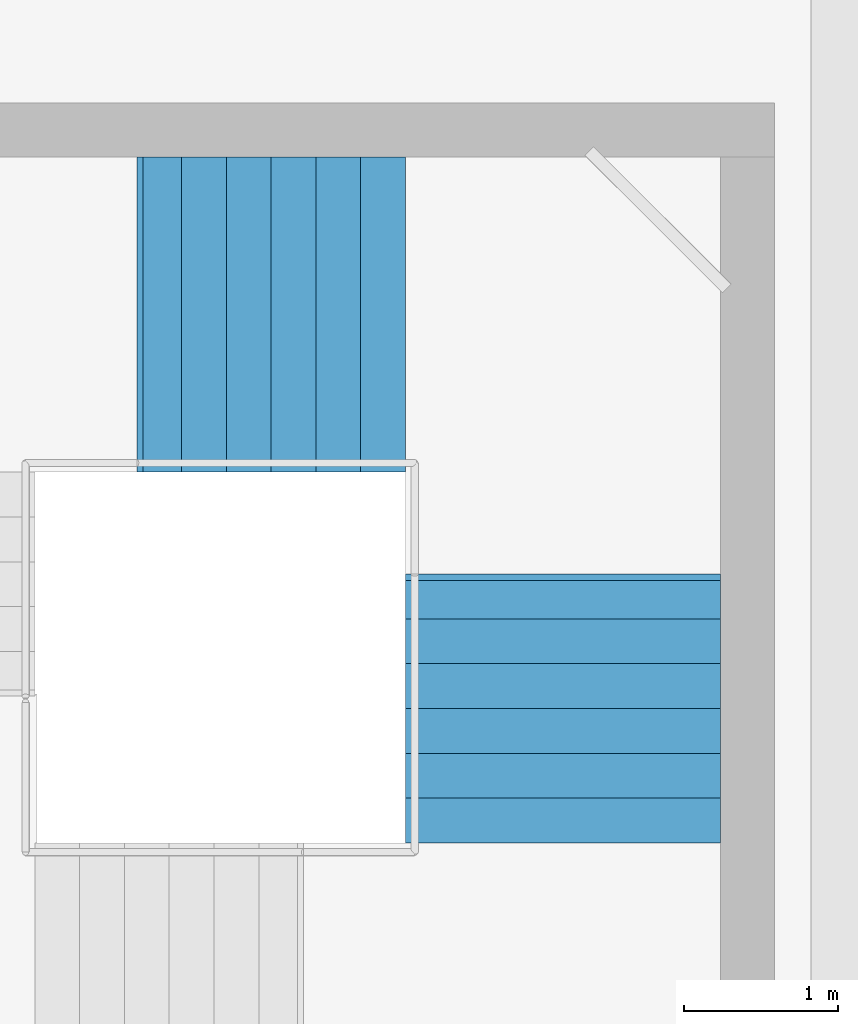
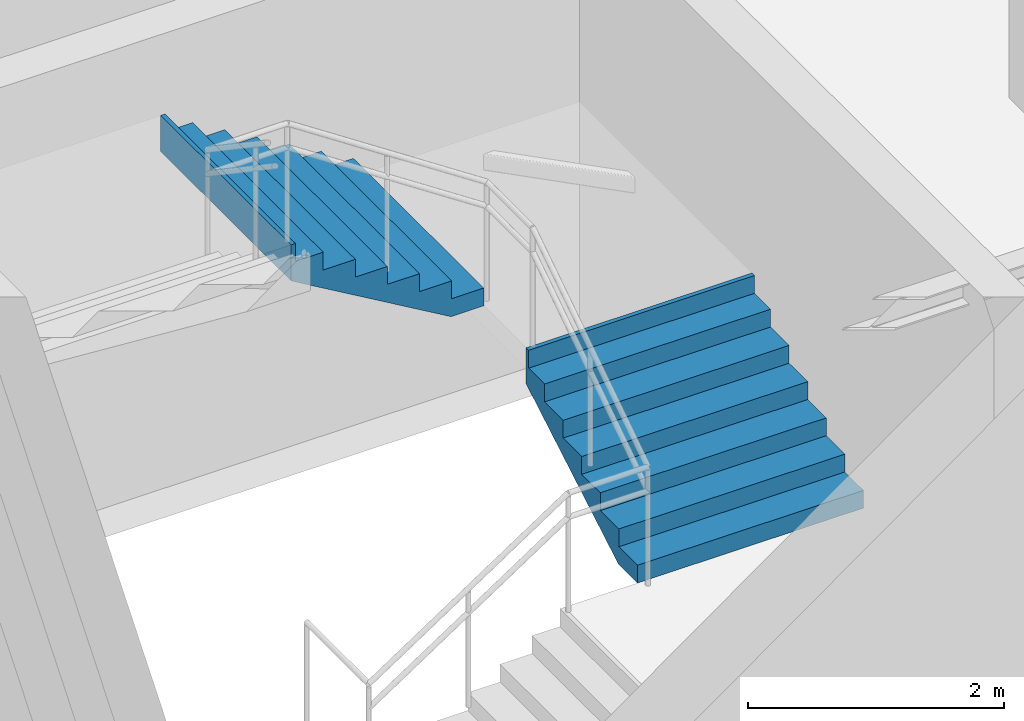
# One storey, part 59 of 69: 2 stair flights, 1 element without a shape of its own.
"""IFC4 building model written with IfcOpenShell, lengths in metres."""

from ifc_helpers import new_model, si_unit, direction, frame, origin, place, context, subcontext, project, spatial, triangles, material, type_object, element, aggregate, save


model = new_model("IFC4")

# Units and contexts
model_context = context("Model", 3, precision=1e-05, world=origin(), true_north=direction((0.0, 1.0)))
body_context = subcontext(model_context, "Body", "Model", "MODEL_VIEW")
ifc_project = project(units=[si_unit("LENGTHUNIT", "METRE"), si_unit("AREAUNIT", "SQUARE_METRE"), si_unit("VOLUMEUNIT", "CUBIC_METRE"), si_unit("PLANEANGLEUNIT", "RADIAN"), si_unit("MASSUNIT", "GRAM", prefix="KILO")], contexts=[model_context])

# Site, building, storey
site_placement = place(None, origin())
site = spatial("IfcSite", under=ifc_project, at=site_placement, CompositionType="ELEMENT")
building_placement = place(site_placement, origin())
building = spatial("IfcBuilding", under=site, at=building_placement, Name="Sillaruma Civic Art Gallery", CompositionType="ELEMENT")
storey_placement = place(building_placement, frame((0.0, 0.0, 42.330078125)))
storey = spatial("IfcBuildingStorey", under=building, at=storey_placement, Name="L08", CompositionType="ELEMENT", Elevation=42.330078125)

# Stair, stair flights
ifc_material = material(Name="Concrete H35 (35 MPa)", Category="concrete")
stair_type = type_object("IfcStairType", Name="STR-4F-27", PredefinedType="USERDEFINED", material=ifc_material)
stair_placement = place(storey_placement, origin())
stair = element("IfcStair", 1, at=stair_placement, inside=storey, type_object=stair_type, Name="Protected Exit Stair ST-03 (West Bar South) (L08)", ObjectType="THREE_RETURN_STAIR", PredefinedType="USERDEFINED")
stair_flight_type = type_object("IfcStairFlightType", Name="SFL-STR-7", PredefinedType="STRAIGHT", material=ifc_material)
stair_flight_1_placement = place(storey_placement, frame((68.219970703125, 33.449951171875, 1.18994140625), z_axis=(0.0, 0.0, 1.0), x_axis=(0.0, 1.0, 0.0)))
stair_flight_1 = element("IfcStairFlight", 2, at=stair_flight_1_placement, type_object=stair_flight_type, Name="ST-03 flight 2", NumberOfRisers=7, NumberOfTreads=6, PredefinedType="STRAIGHT", RiserHeight=0.17, TreadLength=0.29, context=body_context, shape_type="Tessellation", body=[
    triangles([(0.0, -1.02001953125, 0.0), (0.29, -1.02001953125, 0.0), (0.296404, -1.02001953125, 0.0), (0.58, -1.02001953125, 0.166246), (0.87, -1.02001953125, 0.336246), (1.16, -1.02001953125, 0.506246), (1.45, -1.02001953125, 0.676246), (1.69999, -1.02001953125, 0.822792), (1.73999, -1.02001953125, 0.84624), (1.73999, -1.02001953125, 1.19), (1.69999, -1.02001953125, 1.19), (1.69999, -1.02001953125, 1.02), (1.45, -1.02001953125, 1.02), (1.45, -1.02001953125, 0.85), (1.16, -1.02001953125, 0.85), (1.16, -1.02001953125, 0.68), (0.87, -1.02001953125, 0.68), (0.87, -1.02001953125, 0.51), (0.58, -1.02001953125, 0.51), (0.58, -1.02001953125, 0.34), (0.296404, -1.02001953125, 0.34), (0.29, -1.02001953125, 0.34), (0.29, -1.02001953125, 0.17), (0.0, -1.02001953125, 0.17), (0.0, -0.05, 0.0), (0.29, -0.05, 0.0), (0.296404, -0.05, 0.0), (0.58, -0.05, 0.166246), (0.87, -0.05, 0.336246), (1.16, -0.05, 0.506246), (1.45, -0.05, 0.676246), (1.69999, -0.05, 0.822792), (1.73999, -0.05, 0.84624), (1.73999, -0.05, 1.19), (1.69999, -0.05, 1.19), (1.69999, -0.05, 1.02), (1.45, -0.05, 1.02), (1.45, -0.05, 0.85), (1.16, -0.05, 0.85), (1.16, -0.05, 0.68), (0.87, -0.05, 0.68), (0.87, -0.05, 0.51), (0.58, -0.05, 0.51), (0.58, -0.05, 0.34), (0.296404, -0.05, 0.34), (0.29, -0.05, 0.34), (0.29, -0.05, 0.17), (0.0, -0.05, 0.17), (0.0, -0.0375, 0.0), (0.29, -0.0375, 0.0), (0.296404, -0.0375, 0.0), (0.58, -0.0375, 0.166246), (0.87, -0.0375, 0.336246), (1.16, -0.0375, 0.506246), (1.45, -0.0375, 0.676246), (1.69999, -0.0375, 0.822792), (1.73999, -0.0375, 0.84624), (1.73999, -0.0375, 1.19), (1.69999, -0.0375, 1.19), (1.69999, -0.0375, 1.02), (1.45, -0.0375, 1.02), (1.45, -0.0375, 0.85), (1.16, -0.0375, 0.85), (1.16, -0.0375, 0.68), (0.87, -0.0375, 0.68), (0.87, -0.0375, 0.51), (0.58, -0.0375, 0.51), (0.58, -0.0375, 0.34), (0.296404, -0.0375, 0.34), (0.29, -0.0375, 0.34), (0.29, -0.0375, 0.17), (0.0, -0.0375, 0.17), (0.0, -0.025, 0.0), (0.29, -0.025, 0.0), (0.296404, -0.025, 0.0), (0.58, -0.025, 0.166246), (0.87, -0.025, 0.336246), (1.16, -0.025, 0.506246), (1.45, -0.025, 0.676246), (1.69999, -0.025, 0.822792), (1.73999, -0.025, 0.84624), (1.73999, -0.025, 1.19), (1.69999, -0.025, 1.19), (1.69999, -0.025, 1.02), (1.45, -0.025, 1.02), (1.45, -0.025, 0.85), (1.16, -0.025, 0.85), (1.16, -0.025, 0.68), (0.87, -0.025, 0.68), (0.87, -0.025, 0.51), (0.58, -0.025, 0.51), (0.58, -0.025, 0.34), (0.296404, -0.025, 0.34), (0.29, -0.025, 0.34), (0.29, -0.025, 0.17), (0.0, -0.025, 0.17), (0.0, -0.0125, 0.0), (0.29, -0.0125, 0.0), (0.296404, -0.0125, 0.0), (0.58, -0.0125, 0.166246), (0.87, -0.0125, 0.336246), (1.16, -0.0125, 0.506246), (1.45, -0.0125, 0.676246), (1.69999, -0.0125, 0.822792), (1.73999, -0.0125, 0.84624), (1.73999, -0.0125, 1.19), (1.69999, -0.0125, 1.19), (1.69999, -0.0125, 1.02), (1.45, -0.0125, 1.02), (1.45, -0.0125, 0.85), (1.16, -0.0125, 0.85), (1.16, -0.0125, 0.68), (0.87, -0.0125, 0.68), (0.87, -0.0125, 0.51), (0.58, -0.0125, 0.51), (0.58, -0.0125, 0.34), (0.296404, -0.0125, 0.34), (0.29, -0.0125, 0.34), (0.29, -0.0125, 0.17), (0.0, -0.0125, 0.17), (0.0, 0.0, 0.0), (0.29, 0.0, 0.0), (0.296404, 0.0, 0.0), (0.58, 0.0, 0.166246), (0.87, 0.0, 0.336246), (1.16, 0.0, 0.506246), (1.45, 0.0, 0.676246), (1.69999, 0.0, 0.822792), (1.73999, 0.0, 0.84624), (1.73999, 0.0, 1.19), (1.69999, 0.0, 1.19), (1.69999, 0.0, 1.02), (1.45, 0.0, 1.02), (1.45, 0.0, 0.85), (1.16, 0.0, 0.85), (1.16, 0.0, 0.68), (0.87, 0.0, 0.68), (0.87, 0.0, 0.51), (0.58, 0.0, 0.51), (0.58, 0.0, 0.34), (0.296404, 0.0, 0.34), (0.29, 0.0, 0.34), (0.29, 0.0, 0.17), (0.0, 0.0, 0.17), (0.0, 0.0125, 0.0), (0.29, 0.0125, 0.0), (0.296404, 0.0125, 0.0), (0.58, 0.0125, 0.166246), (0.87, 0.0125, 0.336246), (1.16, 0.0125, 0.506246), (1.45, 0.0125, 0.676246), (1.69999, 0.0125, 0.822792), (1.73999, 0.0125, 0.84624), (1.73999, 0.0125, 1.19), (1.69999, 0.0125, 1.19), (1.69999, 0.0125, 1.02), (1.45, 0.0125, 1.02), (1.45, 0.0125, 0.85), (1.16, 0.0125, 0.85), (1.16, 0.0125, 0.68), (0.87, 0.0125, 0.68), (0.87, 0.0125, 0.51), (0.58, 0.0125, 0.51), (0.58, 0.0125, 0.34), (0.296404, 0.0125, 0.34), (0.29, 0.0125, 0.34), (0.29, 0.0125, 0.17), (0.0, 0.0125, 0.17), (0.0, 0.025, 0.0), (0.29, 0.025, 0.0), (0.296404, 0.025, 0.0), (0.58, 0.025, 0.166246), (0.87, 0.025, 0.336246), (1.16, 0.025, 0.506246), (1.45, 0.025, 0.676246), (1.69999, 0.025, 0.822792), (1.73999, 0.025, 0.84624), (1.73999, 0.025, 1.19), (1.69999, 0.025, 1.19), (1.69999, 0.025, 1.02), (1.45, 0.025, 1.02), (1.45, 0.025, 0.85), (1.16, 0.025, 0.85), (1.16, 0.025, 0.68), (0.87, 0.025, 0.68), (0.87, 0.025, 0.51), (0.58, 0.025, 0.51), (0.58, 0.025, 0.34), (0.296404, 0.025, 0.34), (0.29, 0.025, 0.34), (0.29, 0.025, 0.17), (0.0, 0.025, 0.17), (0.0, 0.0375, 0.0), (0.29, 0.0375, 0.0), (0.296404, 0.0375, 0.0), (0.58, 0.0375, 0.166246), (0.87, 0.0375, 0.336246), (1.16, 0.0375, 0.506246), (1.45, 0.0375, 0.676246), (1.69999, 0.0375, 0.822792), (1.73999, 0.0375, 0.84624), (1.73999, 0.0375, 1.19), (1.69999, 0.0375, 1.19), (1.69999, 0.0375, 1.02), (1.45, 0.0375, 1.02), (1.45, 0.0375, 0.85), (1.16, 0.0375, 0.85), (1.16, 0.0375, 0.68), (0.87, 0.0375, 0.68), (0.87, 0.0375, 0.51), (0.58, 0.0375, 0.51), (0.58, 0.0375, 0.34), (0.296404, 0.0375, 0.34), (0.29, 0.0375, 0.34), (0.29, 0.0375, 0.17), (0.0, 0.0375, 0.17), (0.0, 0.05, 0.0), (0.29, 0.05, 0.0), (0.296404, 0.05, 0.0), (0.58, 0.05, 0.166246), (0.87, 0.05, 0.336246), (1.16, 0.05, 0.506246), (1.45, 0.05, 0.676246), (1.69999, 0.05, 0.822792), (1.73999, 0.05, 0.84624), (1.73999, 0.05, 1.19), (1.69999, 0.05, 1.19), (1.69999, 0.05, 1.02), (1.45, 0.05, 1.02), (1.45, 0.05, 0.85), (1.16, 0.05, 0.85), (1.16, 0.05, 0.68), (0.87, 0.05, 0.68), (0.87, 0.05, 0.51), (0.58, 0.05, 0.51), (0.58, 0.05, 0.34), (0.296404, 0.05, 0.34), (0.29, 0.05, 0.34), (0.29, 0.05, 0.17), (0.0, 0.05, 0.17), (0.0, 1.02001953125, 0.0), (0.29, 1.02001953125, 0.0), (0.296404, 1.02001953125, 0.0), (0.58, 1.02001953125, 0.166246), (0.87, 1.02001953125, 0.336246), (1.16, 1.02001953125, 0.506246), (1.45, 1.02001953125, 0.676246), (1.69999, 1.02001953125, 0.822792), (1.73999, 1.02001953125, 0.84624), (1.73999, 1.02001953125, 1.19), (1.69999, 1.02001953125, 1.19), (1.69999, 1.02001953125, 1.02), (1.45, 1.02001953125, 1.02), (1.45, 1.02001953125, 0.85), (1.16, 1.02001953125, 0.85), (1.16, 1.02001953125, 0.68), (0.87, 1.02001953125, 0.68), (0.87, 1.02001953125, 0.51), (0.58, 1.02001953125, 0.51), (0.58, 1.02001953125, 0.34), (0.296404, 1.02001953125, 0.34), (0.29, 1.02001953125, 0.34), (0.29, 1.02001953125, 0.17), (0.0, 1.02001953125, 0.17)], [[1, 2, 23], [1, 23, 24], [2, 3, 21], [2, 21, 23], [23, 21, 22], [3, 4, 20], [3, 20, 21], [4, 5, 18], [4, 18, 20], [20, 18, 19], [5, 6, 16], [5, 16, 18], [18, 16, 17], [6, 7, 14], [6, 14, 16], [16, 14, 15], [7, 8, 12], [7, 12, 14], [14, 12, 13], [8, 9, 10], [8, 10, 12], [12, 10, 11], [263, 242, 241], [264, 263, 241], [261, 243, 242], [263, 261, 242], [262, 261, 263], [260, 244, 243], [261, 260, 243], [258, 245, 244], [260, 258, 244], [259, 258, 260], [256, 246, 245], [258, 256, 245], [257, 256, 258], [254, 247, 246], [256, 254, 246], [255, 254, 256], [252, 248, 247], [254, 252, 247], [253, 252, 254], [250, 249, 248], [252, 250, 248], [251, 250, 252], [2, 1, 25], [2, 25, 26], [3, 2, 26], [3, 26, 27], [4, 3, 27], [4, 27, 28], [5, 4, 28], [5, 28, 29], [6, 5, 29], [6, 29, 30], [7, 6, 30], [7, 30, 31], [8, 7, 31], [8, 31, 32], [9, 8, 32], [9, 32, 33], [10, 9, 33], [10, 33, 34], [11, 10, 34], [11, 34, 35], [12, 11, 35], [12, 35, 36], [13, 12, 36], [13, 36, 37], [14, 13, 37], [14, 37, 38], [15, 14, 38], [15, 38, 39], [16, 15, 39], [16, 39, 40], [17, 16, 40], [17, 40, 41], [18, 17, 41], [18, 41, 42], [19, 18, 42], [19, 42, 43], [20, 19, 43], [20, 43, 44], [21, 20, 44], [21, 44, 45], [22, 21, 45], [22, 45, 46], [23, 22, 46], [23, 46, 47], [24, 23, 47], [24, 47, 48], [1, 24, 48], [1, 48, 25], [26, 25, 49], [26, 49, 50], [27, 26, 50], [27, 50, 51], [28, 27, 51], [28, 51, 52], [29, 28, 52], [29, 52, 53], [30, 29, 53], [30, 53, 54], [31, 30, 54], [31, 54, 55], [32, 31, 55], [32, 55, 56], [33, 32, 56], [33, 56, 57], [34, 33, 57], [34, 57, 58], [35, 34, 58], [35, 58, 59], [36, 35, 59], [36, 59, 60], [37, 36, 60], [37, 60, 61], [38, 37, 61], [38, 61, 62], [39, 38, 62], [39, 62, 63], [40, 39, 63], [40, 63, 64], [41, 40, 64], [41, 64, 65], [42, 41, 65], [42, 65, 66], [43, 42, 66], [43, 66, 67], [44, 43, 67], [44, 67, 68], [45, 44, 68], [45, 68, 69], [46, 45, 69], [46, 69, 70], [47, 46, 70], [47, 70, 71], [48, 47, 71], [48, 71, 72], [25, 48, 72], [25, 72, 49], [50, 49, 73], [50, 73, 74], [51, 50, 74], [51, 74, 75], [52, 51, 75], [52, 75, 76], [53, 52, 76], [53, 76, 77], [54, 53, 77], [54, 77, 78], [55, 54, 78], [55, 78, 79], [56, 55, 79], [56, 79, 80], [57, 56, 80], [57, 80, 81], [58, 57, 81], [58, 81, 82], [59, 58, 82], [59, 82, 83], [60, 59, 83], [60, 83, 84], [61, 60, 84], [61, 84, 85], [62, 61, 85], [62, 85, 86], [63, 62, 86], [63, 86, 87], [64, 63, 87], [64, 87, 88], [65, 64, 88], [65, 88, 89], [66, 65, 89], [66, 89, 90], [67, 66, 90], [67, 90, 91], [68, 67, 91], [68, 91, 92], [69, 68, 92], [69, 92, 93], [70, 69, 93], [70, 93, 94], [71, 70, 94], [71, 94, 95], [72, 71, 95], [72, 95, 96], [49, 72, 96], [49, 96, 73], [74, 73, 97], [74, 97, 98], [75, 74, 98], [75, 98, 99], [76, 75, 99], [76, 99, 100], [77, 76, 100], [77, 100, 101], [78, 77, 101], [78, 101, 102], [79, 78, 102], [79, 102, 103], [80, 79, 103], [80, 103, 104], [81, 80, 104], [81, 104, 105], [82, 81, 105], [82, 105, 106], [83, 82, 106], [83, 106, 107], [84, 83, 107], [84, 107, 108], [85, 84, 108], [85, 108, 109], [86, 85, 109], [86, 109, 110], [87, 86, 110], [87, 110, 111], [88, 87, 111], [88, 111, 112], [89, 88, 112], [89, 112, 113], [90, 89, 113], [90, 113, 114], [91, 90, 114], [91, 114, 115], [92, 91, 115], [92, 115, 116], [93, 92, 116], [93, 116, 117], [94, 93, 117], [94, 117, 118], [95, 94, 118], [95, 118, 119], [96, 95, 119], [96, 119, 120], [73, 96, 120], [73, 120, 97], [98, 97, 121], [98, 121, 122], [99, 98, 122], [99, 122, 123], [100, 99, 123], [100, 123, 124], [101, 100, 124], [101, 124, 125], [102, 101, 125], [102, 125, 126], [103, 102, 126], [103, 126, 127], [104, 103, 127], [104, 127, 128], [105, 104, 128], [105, 128, 129], [106, 105, 129], [106, 129, 130], [107, 106, 130], [107, 130, 131], [108, 107, 131], [108, 131, 132], [109, 108, 132], [109, 132, 133], [110, 109, 133], [110, 133, 134], [111, 110, 134], [111, 134, 135], [112, 111, 135], [112, 135, 136], [113, 112, 136], [113, 136, 137], [114, 113, 137], [114, 137, 138], [115, 114, 138], [115, 138, 139], [116, 115, 139], [116, 139, 140], [117, 116, 140], [117, 140, 141], [118, 117, 141], [118, 141, 142], [119, 118, 142], [119, 142, 143], [120, 119, 143], [120, 143, 144], [97, 120, 144], [97, 144, 121], [122, 121, 145], [122, 145, 146], [123, 122, 146], [123, 146, 147], [124, 123, 147], [124, 147, 148], [125, 124, 148], [125, 148, 149], [126, 125, 149], [126, 149, 150], [127, 126, 150], [127, 150, 151], [128, 127, 151], [128, 151, 152], [129, 128, 152], [129, 152, 153], [130, 129, 153], [130, 153, 154], [131, 130, 154], [131, 154, 155], [132, 131, 155], [132, 155, 156], [133, 132, 156], [133, 156, 157], [134, 133, 157], [134, 157, 158], [135, 134, 158], [135, 158, 159], [136, 135, 159], [136, 159, 160], [137, 136, 160], [137, 160, 161], [138, 137, 161], [138, 161, 162], [139, 138, 162], [139, 162, 163], [140, 139, 163], [140, 163, 164], [141, 140, 164], [141, 164, 165], [142, 141, 165], [142, 165, 166], [143, 142, 166], [143, 166, 167], [144, 143, 167], [144, 167, 168], [121, 144, 168], [121, 168, 145], [146, 145, 169], [146, 169, 170], [147, 146, 170], [147, 170, 171], [148, 147, 171], [148, 171, 172], [149, 148, 172], [149, 172, 173], [150, 149, 173], [150, 173, 174], [151, 150, 174], [151, 174, 175], [152, 151, 175], [152, 175, 176], [153, 152, 176], [153, 176, 177], [154, 153, 177], [154, 177, 178], [155, 154, 178], [155, 178, 179], [156, 155, 179], [156, 179, 180], [157, 156, 180], [157, 180, 181], [158, 157, 181], [158, 181, 182], [159, 158, 182], [159, 182, 183], [160, 159, 183], [160, 183, 184], [161, 160, 184], [161, 184, 185], [162, 161, 185], [162, 185, 186], [163, 162, 186], [163, 186, 187], [164, 163, 187], [164, 187, 188], [165, 164, 188], [165, 188, 189], [166, 165, 189], [166, 189, 190], [167, 166, 190], [167, 190, 191], [168, 167, 191], [168, 191, 192], [145, 168, 192], [145, 192, 169], [170, 169, 193], [170, 193, 194], [171, 170, 194], [171, 194, 195], [172, 171, 195], [172, 195, 196], [173, 172, 196], [173, 196, 197], [174, 173, 197], [174, 197, 198], [175, 174, 198], [175, 198, 199], [176, 175, 199], [176, 199, 200], [177, 176, 200], [177, 200, 201], [178, 177, 201], [178, 201, 202], [179, 178, 202], [179, 202, 203], [180, 179, 203], [180, 203, 204], [181, 180, 204], [181, 204, 205], [182, 181, 205], [182, 205, 206], [183, 182, 206], [183, 206, 207], [184, 183, 207], [184, 207, 208], [185, 184, 208], [185, 208, 209], [186, 185, 209], [186, 209, 210], [187, 186, 210], [187, 210, 211], [188, 187, 211], [188, 211, 212], [189, 188, 212], [189, 212, 213], [190, 189, 213], [190, 213, 214], [191, 190, 214], [191, 214, 215], [192, 191, 215], [192, 215, 216], [169, 192, 216], [169, 216, 193], [194, 193, 217], [194, 217, 218], [195, 194, 218], [195, 218, 219], [196, 195, 219], [196, 219, 220], [197, 196, 220], [197, 220, 221], [198, 197, 221], [198, 221, 222], [199, 198, 222], [199, 222, 223], [200, 199, 223], [200, 223, 224], [201, 200, 224], [201, 224, 225], [202, 201, 225], [202, 225, 226], [203, 202, 226], [203, 226, 227], [204, 203, 227], [204, 227, 228], [205, 204, 228], [205, 228, 229], [206, 205, 229], [206, 229, 230], [207, 206, 230], [207, 230, 231], [208, 207, 231], [208, 231, 232], [209, 208, 232], [209, 232, 233], [210, 209, 233], [210, 233, 234], [211, 210, 234], [211, 234, 235], [212, 211, 235], [212, 235, 236], [213, 212, 236], [213, 236, 237], [214, 213, 237], [214, 237, 238], [215, 214, 238], [215, 238, 239], [216, 215, 239], [216, 239, 240], [193, 216, 240], [193, 240, 217], [218, 217, 241], [218, 241, 242], [219, 218, 242], [219, 242, 243], [220, 219, 243], [220, 243, 244], [221, 220, 244], [221, 244, 245], [222, 221, 245], [222, 245, 246], [223, 222, 246], [223, 246, 247], [224, 223, 247], [224, 247, 248], [225, 224, 248], [225, 248, 249], [226, 225, 249], [226, 249, 250], [227, 226, 250], [227, 250, 251], [228, 227, 251], [228, 251, 252], [229, 228, 252], [229, 252, 253], [230, 229, 253], [230, 253, 254], [231, 230, 254], [231, 254, 255], [232, 231, 255], [232, 255, 256], [233, 232, 256], [233, 256, 257], [234, 233, 257], [234, 257, 258], [235, 234, 258], [235, 258, 259], [236, 235, 259], [236, 259, 260], [237, 236, 260], [237, 260, 261], [238, 237, 261], [238, 261, 262], [239, 238, 262], [239, 262, 263], [240, 239, 263], [240, 263, 264], [217, 240, 264], [217, 264, 241]], closed=True),
])
stair_flight_2_placement = place(storey_placement, frame((67.199951171875, 36.8701171875, 2.3798828125), z_axis=(0.0, 0.0, 1.0), x_axis=(-1.0, 0.0, 0.0)))
stair_flight_2 = element("IfcStairFlight", 3, at=stair_flight_2_placement, type_object=stair_flight_type, Name="ST-03 flight 3", NumberOfRisers=7, NumberOfTreads=6, PredefinedType="STRAIGHT", RiserHeight=0.17, TreadLength=0.29, context=body_context, shape_type="Tessellation", body=[
    triangles([(0.0, -1.02001953125, 0.0), (0.29, -1.02001953125, 0.0), (0.296404, -1.02001953125, 0.0), (0.58, -1.02001953125, 0.166246), (0.87, -1.02001953125, 0.336246), (1.16, -1.02001953125, 0.506246), (1.45, -1.02001953125, 0.676246), (1.69999, -1.02001953125, 0.822792), (1.73999, -1.02001953125, 0.84624), (1.73999, -1.02001953125, 1.19), (1.69999, -1.02001953125, 1.19), (1.69999, -1.02001953125, 1.02), (1.45, -1.02001953125, 1.02), (1.45, -1.02001953125, 0.85), (1.16, -1.02001953125, 0.85), (1.16, -1.02001953125, 0.68), (0.87, -1.02001953125, 0.68), (0.87, -1.02001953125, 0.51), (0.58, -1.02001953125, 0.51), (0.58, -1.02001953125, 0.34), (0.296404, -1.02001953125, 0.34), (0.29, -1.02001953125, 0.34), (0.29, -1.02001953125, 0.17), (0.0, -1.02001953125, 0.17), (0.0, -0.05, 0.0), (0.29, -0.05, 0.0), (0.296404, -0.05, 0.0), (0.58, -0.05, 0.166246), (0.87, -0.05, 0.336246), (1.16, -0.05, 0.506246), (1.45, -0.05, 0.676246), (1.69999, -0.05, 0.822792), (1.73999, -0.05, 0.84624), (1.73999, -0.05, 1.19), (1.69999, -0.05, 1.19), (1.69999, -0.05, 1.02), (1.45, -0.05, 1.02), (1.45, -0.05, 0.85), (1.16, -0.05, 0.85), (1.16, -0.05, 0.68), (0.87, -0.05, 0.68), (0.87, -0.05, 0.51), (0.58, -0.05, 0.51), (0.58, -0.05, 0.34), (0.296404, -0.05, 0.34), (0.29, -0.05, 0.34), (0.29, -0.05, 0.17), (0.0, -0.05, 0.17), (0.0, -0.0375, 0.0), (0.29, -0.0375, 0.0), (0.296404, -0.0375, 0.0), (0.58, -0.0375, 0.166246), (0.87, -0.0375, 0.336246), (1.16, -0.0375, 0.506246), (1.45, -0.0375, 0.676246), (1.69999, -0.0375, 0.822792), (1.73999, -0.0375, 0.84624), (1.73999, -0.0375, 1.19), (1.69999, -0.0375, 1.19), (1.69999, -0.0375, 1.02), (1.45, -0.0375, 1.02), (1.45, -0.0375, 0.85), (1.16, -0.0375, 0.85), (1.16, -0.0375, 0.68), (0.87, -0.0375, 0.68), (0.87, -0.0375, 0.51), (0.58, -0.0375, 0.51), (0.58, -0.0375, 0.34), (0.296404, -0.0375, 0.34), (0.29, -0.0375, 0.34), (0.29, -0.0375, 0.17), (0.0, -0.0375, 0.17), (0.0, -0.025, 0.0), (0.29, -0.025, 0.0), (0.296404, -0.025, 0.0), (0.58, -0.025, 0.166246), (0.87, -0.025, 0.336246), (1.16, -0.025, 0.506246), (1.45, -0.025, 0.676246), (1.69999, -0.025, 0.822792), (1.73999, -0.025, 0.84624), (1.73999, -0.025, 1.19), (1.69999, -0.025, 1.19), (1.69999, -0.025, 1.02), (1.45, -0.025, 1.02), (1.45, -0.025, 0.85), (1.16, -0.025, 0.85), (1.16, -0.025, 0.68), (0.87, -0.025, 0.68), (0.87, -0.025, 0.51), (0.58, -0.025, 0.51), (0.58, -0.025, 0.34), (0.296404, -0.025, 0.34), (0.29, -0.025, 0.34), (0.29, -0.025, 0.17), (0.0, -0.025, 0.17), (0.0, -0.0125, 0.0), (0.29, -0.0125, 0.0), (0.296404, -0.0125, 0.0), (0.58, -0.0125, 0.166246), (0.87, -0.0125, 0.336246), (1.16, -0.0125, 0.506246), (1.45, -0.0125, 0.676246), (1.69999, -0.0125, 0.822792), (1.73999, -0.0125, 0.84624), (1.73999, -0.0125, 1.19), (1.69999, -0.0125, 1.19), (1.69999, -0.0125, 1.02), (1.45, -0.0125, 1.02), (1.45, -0.0125, 0.85), (1.16, -0.0125, 0.85), (1.16, -0.0125, 0.68), (0.87, -0.0125, 0.68), (0.87, -0.0125, 0.51), (0.58, -0.0125, 0.51), (0.58, -0.0125, 0.34), (0.296404, -0.0125, 0.34), (0.29, -0.0125, 0.34), (0.29, -0.0125, 0.17), (0.0, -0.0125, 0.17), (0.0, 0.0, 0.0), (0.29, 0.0, 0.0), (0.296404, 0.0, 0.0), (0.58, 0.0, 0.166246), (0.87, 0.0, 0.336246), (1.16, 0.0, 0.506246), (1.45, 0.0, 0.676246), (1.69999, 0.0, 0.822792), (1.73999, 0.0, 0.84624), (1.73999, 0.0, 1.19), (1.69999, 0.0, 1.19), (1.69999, 0.0, 1.02), (1.45, 0.0, 1.02), (1.45, 0.0, 0.85), (1.16, 0.0, 0.85), (1.16, 0.0, 0.68), (0.87, 0.0, 0.68), (0.87, 0.0, 0.51), (0.58, 0.0, 0.51), (0.58, 0.0, 0.34), (0.296404, 0.0, 0.34), (0.29, 0.0, 0.34), (0.29, 0.0, 0.17), (0.0, 0.0, 0.17), (0.0, 0.0125, 0.0), (0.29, 0.0125, 0.0), (0.296404, 0.0125, 0.0), (0.58, 0.0125, 0.166246), (0.87, 0.0125, 0.336246), (1.16, 0.0125, 0.506246), (1.45, 0.0125, 0.676246), (1.69999, 0.0125, 0.822792), (1.73999, 0.0125, 0.84624), (1.73999, 0.0125, 1.19), (1.69999, 0.0125, 1.19), (1.69999, 0.0125, 1.02), (1.45, 0.0125, 1.02), (1.45, 0.0125, 0.85), (1.16, 0.0125, 0.85), (1.16, 0.0125, 0.68), (0.87, 0.0125, 0.68), (0.87, 0.0125, 0.51), (0.58, 0.0125, 0.51), (0.58, 0.0125, 0.34), (0.296404, 0.0125, 0.34), (0.29, 0.0125, 0.34), (0.29, 0.0125, 0.17), (0.0, 0.0125, 0.17), (0.0, 0.025, 0.0), (0.29, 0.025, 0.0), (0.296404, 0.025, 0.0), (0.58, 0.025, 0.166246), (0.87, 0.025, 0.336246), (1.16, 0.025, 0.506246), (1.45, 0.025, 0.676246), (1.69999, 0.025, 0.822792), (1.73999, 0.025, 0.84624), (1.73999, 0.025, 1.19), (1.69999, 0.025, 1.19), (1.69999, 0.025, 1.02), (1.45, 0.025, 1.02), (1.45, 0.025, 0.85), (1.16, 0.025, 0.85), (1.16, 0.025, 0.68), (0.87, 0.025, 0.68), (0.87, 0.025, 0.51), (0.58, 0.025, 0.51), (0.58, 0.025, 0.34), (0.296404, 0.025, 0.34), (0.29, 0.025, 0.34), (0.29, 0.025, 0.17), (0.0, 0.025, 0.17), (0.0, 0.0375, 0.0), (0.29, 0.0375, 0.0), (0.296404, 0.0375, 0.0), (0.58, 0.0375, 0.166246), (0.87, 0.0375, 0.336246), (1.16, 0.0375, 0.506246), (1.45, 0.0375, 0.676246), (1.69999, 0.0375, 0.822792), (1.73999, 0.0375, 0.84624), (1.73999, 0.0375, 1.19), (1.69999, 0.0375, 1.19), (1.69999, 0.0375, 1.02), (1.45, 0.0375, 1.02), (1.45, 0.0375, 0.85), (1.16, 0.0375, 0.85), (1.16, 0.0375, 0.68), (0.87, 0.0375, 0.68), (0.87, 0.0375, 0.51), (0.58, 0.0375, 0.51), (0.58, 0.0375, 0.34), (0.296404, 0.0375, 0.34), (0.29, 0.0375, 0.34), (0.29, 0.0375, 0.17), (0.0, 0.0375, 0.17), (0.0, 0.05, 0.0), (0.29, 0.05, 0.0), (0.296404, 0.05, 0.0), (0.58, 0.05, 0.166246), (0.87, 0.05, 0.336246), (1.16, 0.05, 0.506246), (1.45, 0.05, 0.676246), (1.69999, 0.05, 0.822792), (1.73999, 0.05, 0.84624), (1.73999, 0.05, 1.19), (1.69999, 0.05, 1.19), (1.69999, 0.05, 1.02), (1.45, 0.05, 1.02), (1.45, 0.05, 0.85), (1.16, 0.05, 0.85), (1.16, 0.05, 0.68), (0.87, 0.05, 0.68), (0.87, 0.05, 0.51), (0.58, 0.05, 0.51), (0.58, 0.05, 0.34), (0.296404, 0.05, 0.34), (0.29, 0.05, 0.34), (0.29, 0.05, 0.17), (0.0, 0.05, 0.17), (0.0, 1.02001953125, 0.0), (0.29, 1.02001953125, 0.0), (0.296404, 1.02001953125, 0.0), (0.58, 1.02001953125, 0.166246), (0.87, 1.02001953125, 0.336246), (1.16, 1.02001953125, 0.506246), (1.45, 1.02001953125, 0.676246), (1.69999, 1.02001953125, 0.822792), (1.73999, 1.02001953125, 0.84624), (1.73999, 1.02001953125, 1.19), (1.69999, 1.02001953125, 1.19), (1.69999, 1.02001953125, 1.02), (1.45, 1.02001953125, 1.02), (1.45, 1.02001953125, 0.85), (1.16, 1.02001953125, 0.85), (1.16, 1.02001953125, 0.68), (0.87, 1.02001953125, 0.68), (0.87, 1.02001953125, 0.51), (0.58, 1.02001953125, 0.51), (0.58, 1.02001953125, 0.34), (0.296404, 1.02001953125, 0.34), (0.29, 1.02001953125, 0.34), (0.29, 1.02001953125, 0.17), (0.0, 1.02001953125, 0.17)], [[1, 2, 23], [1, 23, 24], [2, 3, 21], [2, 21, 23], [23, 21, 22], [3, 4, 20], [3, 20, 21], [4, 5, 18], [4, 18, 20], [20, 18, 19], [5, 6, 16], [5, 16, 18], [18, 16, 17], [6, 7, 14], [6, 14, 16], [16, 14, 15], [7, 8, 12], [7, 12, 14], [14, 12, 13], [8, 9, 10], [8, 10, 12], [12, 10, 11], [263, 242, 241], [264, 263, 241], [261, 243, 242], [263, 261, 242], [262, 261, 263], [260, 244, 243], [261, 260, 243], [258, 245, 244], [260, 258, 244], [259, 258, 260], [256, 246, 245], [258, 256, 245], [257, 256, 258], [254, 247, 246], [256, 254, 246], [255, 254, 256], [252, 248, 247], [254, 252, 247], [253, 252, 254], [250, 249, 248], [252, 250, 248], [251, 250, 252], [2, 1, 25], [2, 25, 26], [3, 2, 26], [3, 26, 27], [4, 3, 27], [4, 27, 28], [5, 4, 28], [5, 28, 29], [6, 5, 29], [6, 29, 30], [7, 6, 30], [7, 30, 31], [8, 7, 31], [8, 31, 32], [9, 8, 32], [9, 32, 33], [10, 9, 33], [10, 33, 34], [11, 10, 34], [11, 34, 35], [12, 11, 35], [12, 35, 36], [13, 12, 36], [13, 36, 37], [14, 13, 37], [14, 37, 38], [15, 14, 38], [15, 38, 39], [16, 15, 39], [16, 39, 40], [17, 16, 40], [17, 40, 41], [18, 17, 41], [18, 41, 42], [19, 18, 42], [19, 42, 43], [20, 19, 43], [20, 43, 44], [21, 20, 44], [21, 44, 45], [22, 21, 45], [22, 45, 46], [23, 22, 46], [23, 46, 47], [24, 23, 47], [24, 47, 48], [1, 24, 48], [1, 48, 25], [26, 25, 49], [26, 49, 50], [27, 26, 50], [27, 50, 51], [28, 27, 51], [28, 51, 52], [29, 28, 52], [29, 52, 53], [30, 29, 53], [30, 53, 54], [31, 30, 54], [31, 54, 55], [32, 31, 55], [32, 55, 56], [33, 32, 56], [33, 56, 57], [34, 33, 57], [34, 57, 58], [35, 34, 58], [35, 58, 59], [36, 35, 59], [36, 59, 60], [37, 36, 60], [37, 60, 61], [38, 37, 61], [38, 61, 62], [39, 38, 62], [39, 62, 63], [40, 39, 63], [40, 63, 64], [41, 40, 64], [41, 64, 65], [42, 41, 65], [42, 65, 66], [43, 42, 66], [43, 66, 67], [44, 43, 67], [44, 67, 68], [45, 44, 68], [45, 68, 69], [46, 45, 69], [46, 69, 70], [47, 46, 70], [47, 70, 71], [48, 47, 71], [48, 71, 72], [25, 48, 72], [25, 72, 49], [50, 49, 73], [50, 73, 74], [51, 50, 74], [51, 74, 75], [52, 51, 75], [52, 75, 76], [53, 52, 76], [53, 76, 77], [54, 53, 77], [54, 77, 78], [55, 54, 78], [55, 78, 79], [56, 55, 79], [56, 79, 80], [57, 56, 80], [57, 80, 81], [58, 57, 81], [58, 81, 82], [59, 58, 82], [59, 82, 83], [60, 59, 83], [60, 83, 84], [61, 60, 84], [61, 84, 85], [62, 61, 85], [62, 85, 86], [63, 62, 86], [63, 86, 87], [64, 63, 87], [64, 87, 88], [65, 64, 88], [65, 88, 89], [66, 65, 89], [66, 89, 90], [67, 66, 90], [67, 90, 91], [68, 67, 91], [68, 91, 92], [69, 68, 92], [69, 92, 93], [70, 69, 93], [70, 93, 94], [71, 70, 94], [71, 94, 95], [72, 71, 95], [72, 95, 96], [49, 72, 96], [49, 96, 73], [74, 73, 97], [74, 97, 98], [75, 74, 98], [75, 98, 99], [76, 75, 99], [76, 99, 100], [77, 76, 100], [77, 100, 101], [78, 77, 101], [78, 101, 102], [79, 78, 102], [79, 102, 103], [80, 79, 103], [80, 103, 104], [81, 80, 104], [81, 104, 105], [82, 81, 105], [82, 105, 106], [83, 82, 106], [83, 106, 107], [84, 83, 107], [84, 107, 108], [85, 84, 108], [85, 108, 109], [86, 85, 109], [86, 109, 110], [87, 86, 110], [87, 110, 111], [88, 87, 111], [88, 111, 112], [89, 88, 112], [89, 112, 113], [90, 89, 113], [90, 113, 114], [91, 90, 114], [91, 114, 115], [92, 91, 115], [92, 115, 116], [93, 92, 116], [93, 116, 117], [94, 93, 117], [94, 117, 118], [95, 94, 118], [95, 118, 119], [96, 95, 119], [96, 119, 120], [73, 96, 120], [73, 120, 97], [98, 97, 121], [98, 121, 122], [99, 98, 122], [99, 122, 123], [100, 99, 123], [100, 123, 124], [101, 100, 124], [101, 124, 125], [102, 101, 125], [102, 125, 126], [103, 102, 126], [103, 126, 127], [104, 103, 127], [104, 127, 128], [105, 104, 128], [105, 128, 129], [106, 105, 129], [106, 129, 130], [107, 106, 130], [107, 130, 131], [108, 107, 131], [108, 131, 132], [109, 108, 132], [109, 132, 133], [110, 109, 133], [110, 133, 134], [111, 110, 134], [111, 134, 135], [112, 111, 135], [112, 135, 136], [113, 112, 136], [113, 136, 137], [114, 113, 137], [114, 137, 138], [115, 114, 138], [115, 138, 139], [116, 115, 139], [116, 139, 140], [117, 116, 140], [117, 140, 141], [118, 117, 141], [118, 141, 142], [119, 118, 142], [119, 142, 143], [120, 119, 143], [120, 143, 144], [97, 120, 144], [97, 144, 121], [122, 121, 145], [122, 145, 146], [123, 122, 146], [123, 146, 147], [124, 123, 147], [124, 147, 148], [125, 124, 148], [125, 148, 149], [126, 125, 149], [126, 149, 150], [127, 126, 150], [127, 150, 151], [128, 127, 151], [128, 151, 152], [129, 128, 152], [129, 152, 153], [130, 129, 153], [130, 153, 154], [131, 130, 154], [131, 154, 155], [132, 131, 155], [132, 155, 156], [133, 132, 156], [133, 156, 157], [134, 133, 157], [134, 157, 158], [135, 134, 158], [135, 158, 159], [136, 135, 159], [136, 159, 160], [137, 136, 160], [137, 160, 161], [138, 137, 161], [138, 161, 162], [139, 138, 162], [139, 162, 163], [140, 139, 163], [140, 163, 164], [141, 140, 164], [141, 164, 165], [142, 141, 165], [142, 165, 166], [143, 142, 166], [143, 166, 167], [144, 143, 167], [144, 167, 168], [121, 144, 168], [121, 168, 145], [146, 145, 169], [146, 169, 170], [147, 146, 170], [147, 170, 171], [148, 147, 171], [148, 171, 172], [149, 148, 172], [149, 172, 173], [150, 149, 173], [150, 173, 174], [151, 150, 174], [151, 174, 175], [152, 151, 175], [152, 175, 176], [153, 152, 176], [153, 176, 177], [154, 153, 177], [154, 177, 178], [155, 154, 178], [155, 178, 179], [156, 155, 179], [156, 179, 180], [157, 156, 180], [157, 180, 181], [158, 157, 181], [158, 181, 182], [159, 158, 182], [159, 182, 183], [160, 159, 183], [160, 183, 184], [161, 160, 184], [161, 184, 185], [162, 161, 185], [162, 185, 186], [163, 162, 186], [163, 186, 187], [164, 163, 187], [164, 187, 188], [165, 164, 188], [165, 188, 189], [166, 165, 189], [166, 189, 190], [167, 166, 190], [167, 190, 191], [168, 167, 191], [168, 191, 192], [145, 168, 192], [145, 192, 169], [170, 169, 193], [170, 193, 194], [171, 170, 194], [171, 194, 195], [172, 171, 195], [172, 195, 196], [173, 172, 196], [173, 196, 197], [174, 173, 197], [174, 197, 198], [175, 174, 198], [175, 198, 199], [176, 175, 199], [176, 199, 200], [177, 176, 200], [177, 200, 201], [178, 177, 201], [178, 201, 202], [179, 178, 202], [179, 202, 203], [180, 179, 203], [180, 203, 204], [181, 180, 204], [181, 204, 205], [182, 181, 205], [182, 205, 206], [183, 182, 206], [183, 206, 207], [184, 183, 207], [184, 207, 208], [185, 184, 208], [185, 208, 209], [186, 185, 209], [186, 209, 210], [187, 186, 210], [187, 210, 211], [188, 187, 211], [188, 211, 212], [189, 188, 212], [189, 212, 213], [190, 189, 213], [190, 213, 214], [191, 190, 214], [191, 214, 215], [192, 191, 215], [192, 215, 216], [169, 192, 216], [169, 216, 193], [194, 193, 217], [194, 217, 218], [195, 194, 218], [195, 218, 219], [196, 195, 219], [196, 219, 220], [197, 196, 220], [197, 220, 221], [198, 197, 221], [198, 221, 222], [199, 198, 222], [199, 222, 223], [200, 199, 223], [200, 223, 224], [201, 200, 224], [201, 224, 225], [202, 201, 225], [202, 225, 226], [203, 202, 226], [203, 226, 227], [204, 203, 227], [204, 227, 228], [205, 204, 228], [205, 228, 229], [206, 205, 229], [206, 229, 230], [207, 206, 230], [207, 230, 231], [208, 207, 231], [208, 231, 232], [209, 208, 232], [209, 232, 233], [210, 209, 233], [210, 233, 234], [211, 210, 234], [211, 234, 235], [212, 211, 235], [212, 235, 236], [213, 212, 236], [213, 236, 237], [214, 213, 237], [214, 237, 238], [215, 214, 238], [215, 238, 239], [216, 215, 239], [216, 239, 240], [193, 216, 240], [193, 240, 217], [218, 217, 241], [218, 241, 242], [219, 218, 242], [219, 242, 243], [220, 219, 243], [220, 243, 244], [221, 220, 244], [221, 244, 245], [222, 221, 245], [222, 245, 246], [223, 222, 246], [223, 246, 247], [224, 223, 247], [224, 247, 248], [225, 224, 248], [225, 248, 249], [226, 225, 249], [226, 249, 250], [227, 226, 250], [227, 250, 251], [228, 227, 251], [228, 251, 252], [229, 228, 252], [229, 252, 253], [230, 229, 253], [230, 253, 254], [231, 230, 254], [231, 254, 255], [232, 231, 255], [232, 255, 256], [233, 232, 256], [233, 256, 257], [234, 233, 257], [234, 257, 258], [235, 234, 258], [235, 258, 259], [236, 235, 259], [236, 259, 260], [237, 236, 260], [237, 260, 261], [238, 237, 261], [238, 261, 262], [239, 238, 262], [239, 262, 263], [240, 239, 263], [240, 263, 264], [217, 240, 264], [217, 264, 241]], closed=True),
])
aggregate(stair, [stair_flight_1, stair_flight_2])

save(model, "model.ifc")
